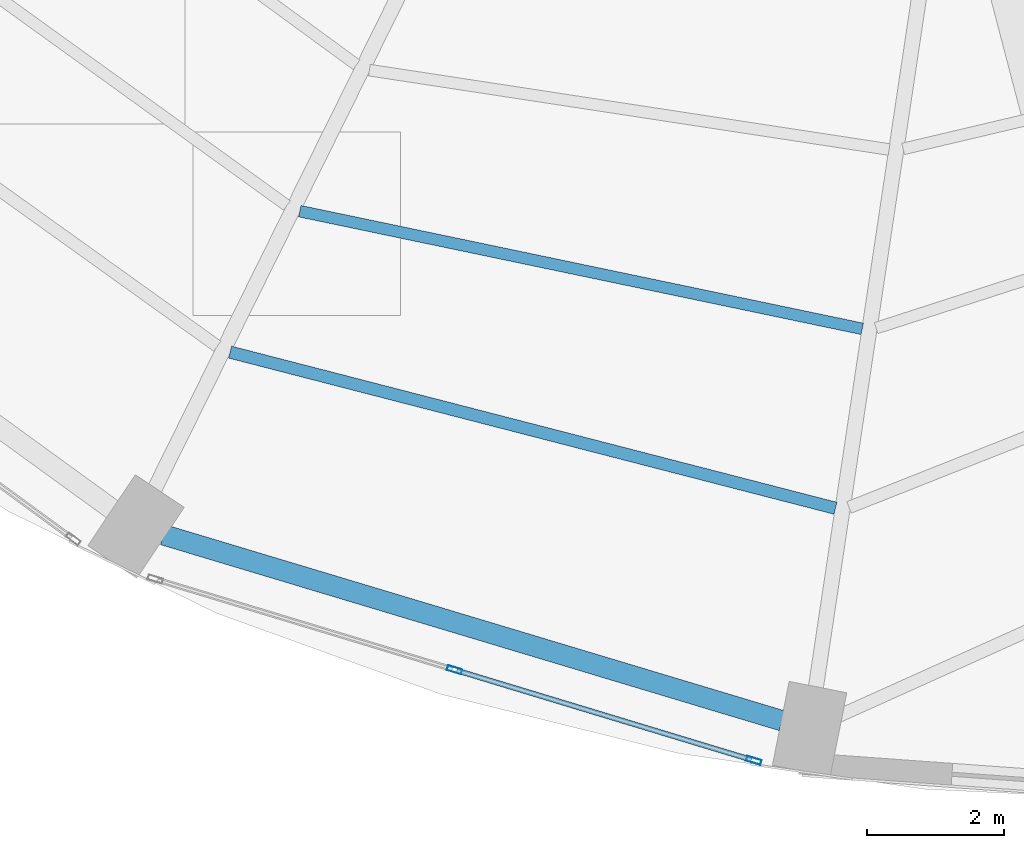
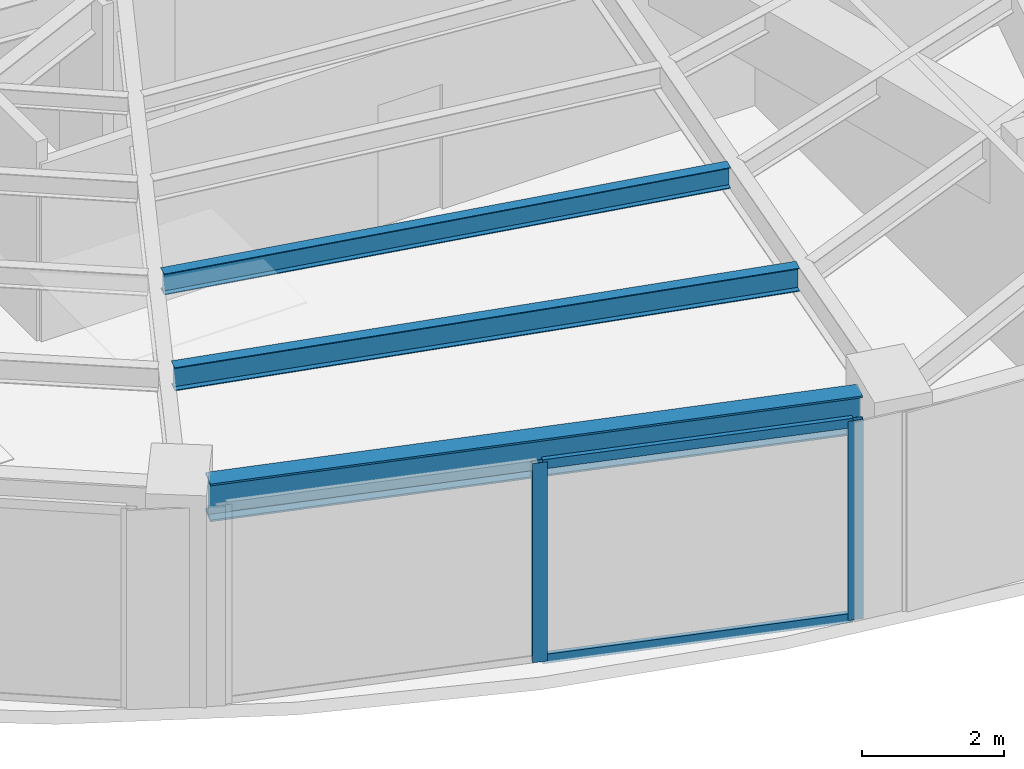
# One storey, part 5 of 24: 4 members, 3 beams, 1 element without a shape of its own.
"""IFC4 building model written with IfcOpenShell, lengths in metres."""

from ifc_helpers import new_model, si_unit, direction, frame, origin, origin_2d, place, context, subcontext, project, spatial, hollow_rectangle, i_section, extrude, material, layer, layer_set, material_profile, profile_set, type_object, element, aggregate, save


model = new_model("IFC4")

# Units and contexts
model_context = context("Model", 3, precision=1e-05, world=origin(), true_north=direction((0.0, 1.0)))
body_context = subcontext(model_context, "Body", "Model", "MODEL_VIEW")
ifc_project = project(units=[si_unit("LENGTHUNIT", "METRE"), si_unit("AREAUNIT", "SQUARE_METRE"), si_unit("VOLUMEUNIT", "CUBIC_METRE"), si_unit("PLANEANGLEUNIT", "RADIAN"), si_unit("MASSUNIT", "GRAM", prefix="KILO")], contexts=[model_context])

# Site, building, storey
site_placement = place(None, origin())
site = spatial("IfcSite", under=ifc_project, at=site_placement, CompositionType="ELEMENT")
building_placement = place(site_placement, origin())
building = spatial("IfcBuilding", under=site, at=building_placement, Name="Lazwardi Medical Tower", CompositionType="ELEMENT")
storey_placement = place(building_placement, frame((0.0, 0.0, 36.14404296875)))
storey = spatial("IfcBuildingStorey", under=building, at=storey_placement, Name="L08", CompositionType="ELEMENT", Elevation=36.14404296875)

# Beams
ifc_material_1 = material(Name="Steel S355", Category="steel")
ifc_material_profile_1 = material_profile(ifc_material_1, i_section(OverallWidth=0.300048828125, OverallDepth=0.64990234375, WebThickness=0.01611328125, FlangeThickness=0.031005859375, at=origin_2d()), Name="HEB 650")
ifc_profile_set_1 = profile_set([ifc_material_profile_1], Name="Steel S355")
beam_type_1 = type_object("IfcBeamType", Name="BM-RB-Z1", PredefinedType="BEAM", material=ifc_profile_set_1)
beam_1_placement = place(storey_placement, frame((21.22119140625, 8.9951171875, 3.10302734375), z_axis=(0.957695289269, -0.287784177662, 0.0), x_axis=(0.287784177662, 0.957695289269, 0.0)))
element("IfcBeam", 1, at=beam_1_placement, inside=storey, type_object=beam_type_1, Name="Ring beam RB-02 B15 L08", PredefinedType="BEAM", context=body_context, shape_type="SweptSolid", body=[
    extrude(i_section(OverallWidth=0.300048828125, OverallDepth=0.64990234375, WebThickness=0.01611328125, FlangeThickness=0.031005859375, at=origin_2d()), origin(), (0.0, 0.0, 1.0), 9.445556640625),
])
ifc_material_profile_2 = material_profile(ifc_material_1, i_section(OverallWidth=0.179931640625, OverallDepth=0.39990234375, WebThickness=0.008544921875, FlangeThickness=0.013427734375, at=origin_2d()), Name="IPE 400")
ifc_profile_set_2 = profile_set([ifc_material_profile_2], Name="Steel S355")
beam_type_2 = type_object("IfcBeamType", Name="BM-SJ-01", PredefinedType="JOIST", material=ifc_profile_set_2)
beam_2_placement = place(storey_placement, frame((22.195068359375, 11.666748046875, 3.22802734375), z_axis=(0.968316918308, -0.249724539682, 0.0), x_axis=(0.249724539682, 0.968316918308, 0.0)))
element("IfcBeam", 2, at=beam_2_placement, inside=storey, type_object=beam_type_2, Name="Secondary joist SJ-01 R1 B15 L08", PredefinedType="JOIST", context=body_context, shape_type="SweptSolid", body=[
    extrude(i_section(OverallWidth=0.179931640625, OverallDepth=0.39990234375, WebThickness=0.008544921875, FlangeThickness=0.013427734375, at=origin_2d()), origin(), (0.0, 0.0, 1.0), 9.140869140625),
])
ifc_material_profile_3 = material_profile(ifc_material_1, i_section(OverallWidth=0.169921875, OverallDepth=0.360107421875, WebThickness=0.008056640625, FlangeThickness=0.0126953125, at=origin_2d()), Name="IPE 360")
ifc_profile_set_3 = profile_set([ifc_material_profile_3], Name="Steel S355")
beam_type_3 = type_object("IfcBeamType", Name="BM-SJ-02", PredefinedType="JOIST", material=ifc_profile_set_3)
beam_3_placement = place(storey_placement, frame((23.213623046875, 13.728271484375, 3.248046875), z_axis=(0.978809182847, -0.204774470026, 0.0), x_axis=(0.204774470026, 0.978809182847, 0.0)))
element("IfcBeam", 3, at=beam_3_placement, inside=storey, type_object=beam_type_3, Name="Secondary joist SJ-02 R2 B15 L08", PredefinedType="JOIST", context=body_context, shape_type="SweptSolid", body=[
    extrude(i_section(OverallWidth=0.169921875, OverallDepth=0.360107421875, WebThickness=0.008056640625, FlangeThickness=0.0126953125, at=origin_2d()), origin(), (0.0, 0.0, 1.0), 8.40283203125),
])

# Curtain wall, members
ifc_material_2 = material(Name="Anodised bronze aluminium and solar control glazing", Category="aluminium")
ifc_layer = layer(ifc_material_2, 0.199951171875)
ifc_layer_set = layer_set([ifc_layer], Name="Anodised bronze aluminium and solar control glazing")
curtain_wall_type = type_object("IfcCurtainWallType", Name="CW-SYS-02", PredefinedType="NOTDEFINED", material=ifc_layer_set)
curtain_wall_placement = place(storey_placement, origin())
curtain_wall = element("IfcCurtainWall", 4, at=curtain_wall_placement, inside=storey, type_object=curtain_wall_type, Name="L08 Unitised bronze curtain wall CW-02", PredefinedType="NOTDEFINED")
ifc_material_3 = material(Name="Anodised bronze aluminium", Category="aluminium")
ifc_material_profile_4 = material_profile(ifc_material_3, hollow_rectangle(XDim=0.074951171875, YDim=0.219970703125, WallThickness=0.00390625, at=origin_2d()), Name="ALU-MULLION 220x75x4")
ifc_profile_set_4 = profile_set([ifc_material_profile_4], Name="Anodised bronze aluminium")
member_type_1 = type_object("IfcMemberType", Name="CW-MUL-01", PredefinedType="MULLION", material=ifc_profile_set_4)
member_1_placement = place(storey_placement, frame((25.476806640625, 7.021484375, 0.0), z_axis=(0.0, 0.0, 1.0), x_axis=(0.2898956909, 0.957058247129, 0.0)))
member_1 = element("IfcMember", 5, at=member_1_placement, type_object=member_type_1, Name="CW-02 mullion 2", PredefinedType="MULLION", context=body_context, shape_type="SweptSolid", body=[
    extrude(hollow_rectangle(XDim=0.074951171875, YDim=0.219970703125, WallThickness=0.00390625, at=origin_2d()), origin(), (0.0, 0.0, 1.0), 3.427978515625),
])
member_2_placement = place(storey_placement, frame((29.85205078125, 5.6962890625, 0.0), z_axis=(0.0, 0.0, 1.0), x_axis=(0.2898956909, 0.957058247129, 0.0)))
member_2 = element("IfcMember", 6, at=member_2_placement, type_object=member_type_1, Name="CW-02 mullion 3", PredefinedType="MULLION", context=body_context, shape_type="SweptSolid", body=[
    extrude(hollow_rectangle(XDim=0.074951171875, YDim=0.219970703125, WallThickness=0.00390625, at=origin_2d()), origin(), (0.0, 0.0, 1.0), 3.427978515625),
])
ifc_material_profile_5 = material_profile(ifc_material_3, hollow_rectangle(XDim=0.074951171875, YDim=0.159912109375, WallThickness=0.00390625, at=origin_2d()), Name="ALU-TRANSOM 160x75x4")
ifc_profile_set_5 = profile_set([ifc_material_profile_5], Name="Anodised bronze aluminium")
member_type_2 = type_object("IfcMemberType", Name="CW-TRN-01", PredefinedType="USERDEFINED", material=ifc_profile_set_5)
member_3_placement = place(storey_placement, frame((25.5126953125, 7.0107421875, 0.037353515625), z_axis=(0.957047233423, -0.28993204893, 0.0), x_axis=(0.28993204893, 0.957047233423, 0.0)))
member_3 = element("IfcMember", 7, at=member_3_placement, type_object=member_type_2, Name="CW-02 transom 2.1", ObjectType="TRANSOM", PredefinedType="USERDEFINED", context=body_context, shape_type="SweptSolid", body=[
    extrude(hollow_rectangle(XDim=0.074951171875, YDim=0.159912109375, WallThickness=0.00390625, at=origin_2d()), origin(), (0.0, 0.0, 1.0), 4.49658203125),
])
member_4_placement = place(storey_placement, frame((25.5126953125, 7.0107421875, 3.390380859375), z_axis=(0.957047233423, -0.28993204893, 0.0), x_axis=(0.28993204893, 0.957047233423, 0.0)))
member_4 = element("IfcMember", 8, at=member_4_placement, type_object=member_type_2, Name="CW-02 transom 2.2", ObjectType="TRANSOM", PredefinedType="USERDEFINED", context=body_context, shape_type="SweptSolid", body=[
    extrude(hollow_rectangle(XDim=0.074951171875, YDim=0.159912109375, WallThickness=0.00390625, at=origin_2d()), origin(), (0.0, 0.0, 1.0), 4.49658203125),
])
aggregate(curtain_wall, [member_1, member_2, member_3, member_4])

save(model, "model.ifc")
